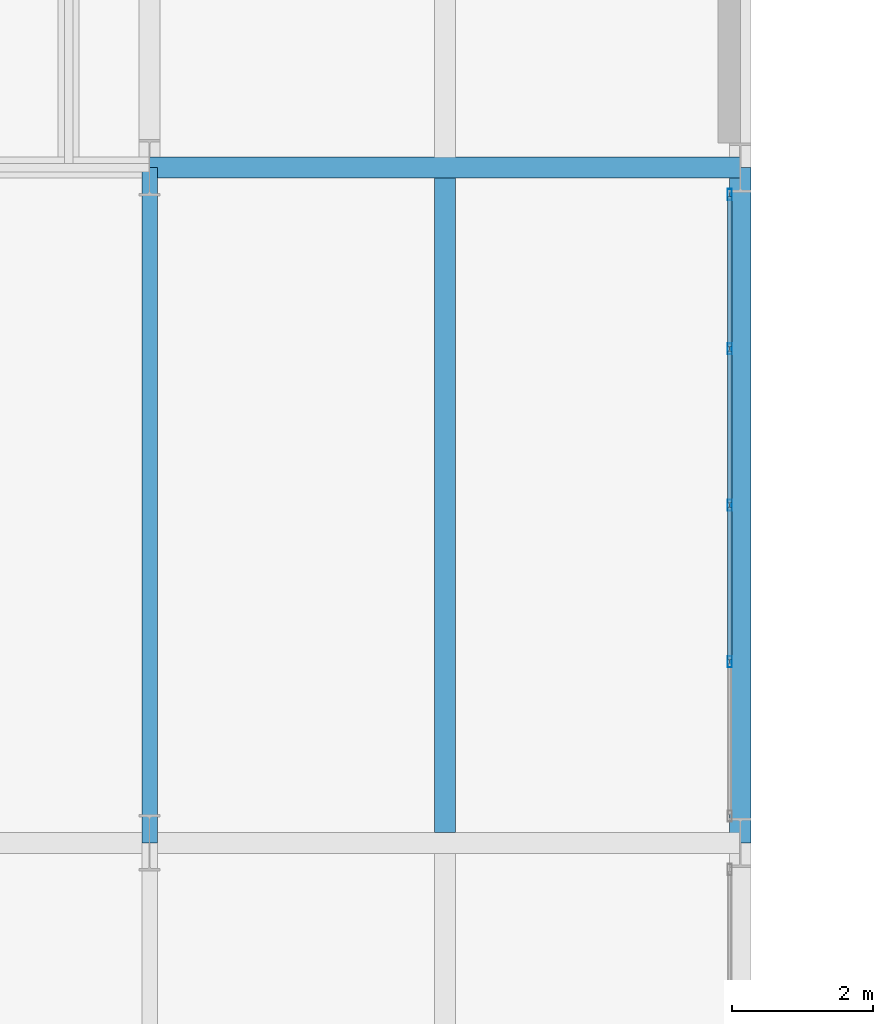
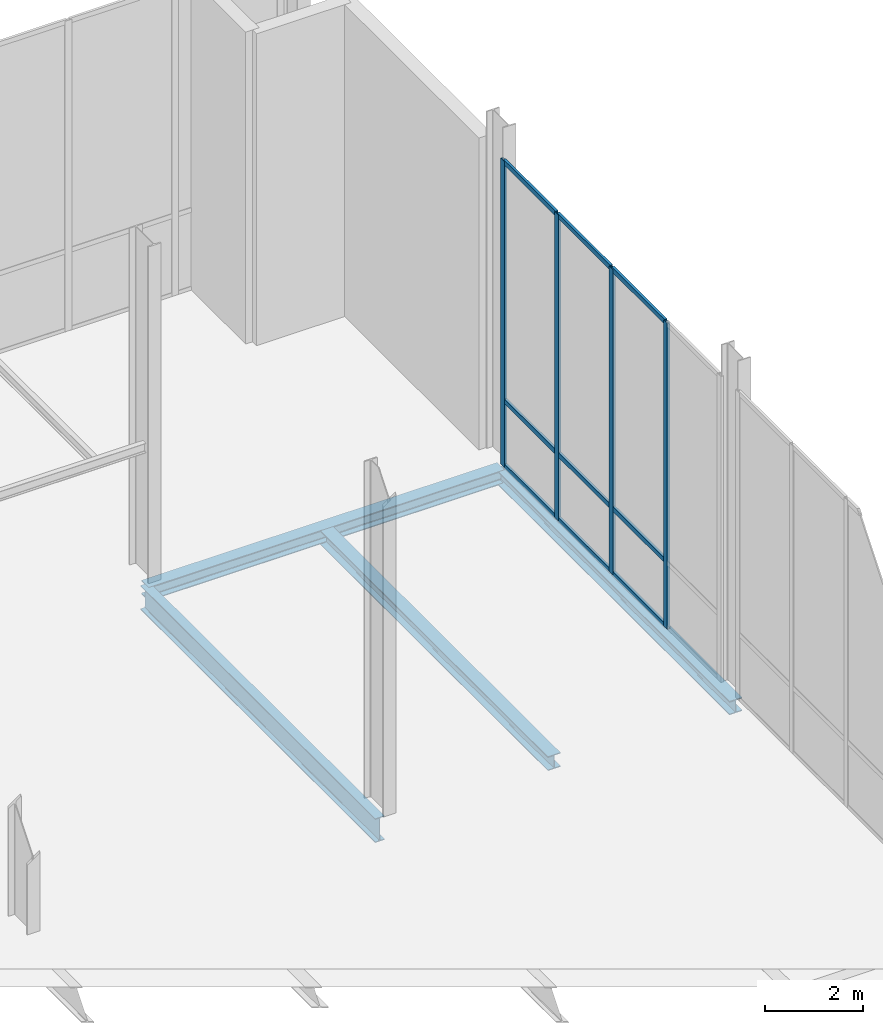
# One storey, part 79 of 131: 13 members, 4 beams, 1 element without a shape of its own.
"""IFC4 building model written with IfcOpenShell, lengths in metres."""

from ifc_helpers import new_model, si_unit, direction, frame, origin, origin_2d, place, context, subcontext, project, spatial, hollow_rectangle, i_section, extrude, material, material_profile, profile_set, type_object, element, aggregate, save


model = new_model("IFC4")

# Units and contexts
model_context = context("Model", 3, precision=1e-05, world=origin(), true_north=direction((0.0, 1.0)))
body_context = subcontext(model_context, "Body", "Model", "MODEL_VIEW")
ifc_project = project(units=[si_unit("LENGTHUNIT", "METRE"), si_unit("AREAUNIT", "SQUARE_METRE"), si_unit("VOLUMEUNIT", "CUBIC_METRE"), si_unit("PLANEANGLEUNIT", "RADIAN"), si_unit("MASSUNIT", "GRAM", prefix="KILO")], contexts=[model_context])

# Site, building, storey
site_placement = place(None, origin())
site = spatial("IfcSite", under=ifc_project, at=site_placement, CompositionType="ELEMENT")
building_placement = place(site_placement, origin())
building = spatial("IfcBuilding", under=site, at=building_placement, Name="Veltarok Museum of Natural Sciences", CompositionType="ELEMENT")
storey_placement = place(building_placement, origin())
storey = spatial("IfcBuildingStorey", under=building, at=storey_placement, Name="L00", CompositionType="ELEMENT", Elevation=0.0)

# Curtain wall, members
ifc_material_1 = material(Name="Low-iron triple insulated glass", Category="glass")
curtain_wall_type = type_object("IfcCurtainWallType", Name="Curtain Wall System CW-V2NPE-L00-3-890x763 (CW-V2NPE L00 890x763cm)", PredefinedType="NOTDEFINED", material=ifc_material_1)
curtain_wall_placement = place(storey_placement, origin())
curtain_wall = element("IfcCurtainWall", 1, at=curtain_wall_placement, inside=storey, type_object=curtain_wall_type, Name="Curtain Wall CW-V2NPE-L00-3-890x763 CW-0219", PredefinedType="NOTDEFINED")
ifc_material_2 = material(Name="Thermally broken anodised aluminium", Category="aluminium")
ifc_material_profile_1 = material_profile(ifc_material_2, hollow_rectangle(XDim=0.06005859375, YDim=0.1201171875, WallThickness=0.0048828125, at=origin_2d()), Name="CW TRANSOM 60x120x5")
ifc_profile_set_1 = profile_set([ifc_material_profile_1], Name="Thermally broken anodised aluminium")
member_type_1 = type_object("IfcMemberType", Name="Curtain Wall Horizontal Transom 60x120x5", PredefinedType="USERDEFINED", material=ifc_profile_set_1)
member_1_placement = place(storey_placement, frame((81.85009765625, 93.804931640625, 0.028076171875), z_axis=(0.0, 1.0, 0.0), x_axis=(-1.0, 0.0, 0.0)))
member_1 = element("IfcMember", 2, at=member_1_placement, type_object=member_type_1, Name="CW-V2NPE-L00-3-890x763 transom 2.1", ObjectType="TRANSOM", PredefinedType="USERDEFINED", context=body_context, shape_type="SweptSolid", body=[
    extrude(hollow_rectangle(XDim=0.06005859375, YDim=0.1201171875, WallThickness=0.0048828125, at=origin_2d()), origin(), (0.0, 0.0, 1.0), 2.1650390625),
])
member_2_placement = place(storey_placement, frame((81.85009765625, 93.804931640625, 1.64794921875), z_axis=(0.0, 1.0, 0.0), x_axis=(-1.0, 0.0, 0.0)))
member_2 = element("IfcMember", 3, at=member_2_placement, type_object=member_type_1, Name="CW-V2NPE-L00-3-890x763 transom 2.2", ObjectType="TRANSOM", PredefinedType="USERDEFINED", context=body_context, shape_type="SweptSolid", body=[
    extrude(hollow_rectangle(XDim=0.06005859375, YDim=0.1201171875, WallThickness=0.0048828125, at=origin_2d()), origin(), (0.0, 0.0, 1.0), 2.1650390625),
])
member_3_placement = place(storey_placement, frame((81.85009765625, 93.804931640625, 7.60009765625), z_axis=(0.0, 1.0, 0.0), x_axis=(-1.0, 0.0, 0.0)))
member_3 = element("IfcMember", 4, at=member_3_placement, type_object=member_type_1, Name="CW-V2NPE-L00-3-890x763 transom 2.3", ObjectType="TRANSOM", PredefinedType="USERDEFINED", context=body_context, shape_type="SweptSolid", body=[
    extrude(hollow_rectangle(XDim=0.06005859375, YDim=0.1201171875, WallThickness=0.0048828125, at=origin_2d()), origin(), (0.0, 0.0, 1.0), 2.1650390625),
])
member_4_placement = place(storey_placement, frame((81.85009765625, 96.030029296875, 0.028076171875), z_axis=(0.0, 1.0, 0.0), x_axis=(-1.0, 0.0, 0.0)))
member_4 = element("IfcMember", 5, at=member_4_placement, type_object=member_type_1, Name="CW-V2NPE-L00-3-890x763 transom 3.1", ObjectType="TRANSOM", PredefinedType="USERDEFINED", context=body_context, shape_type="SweptSolid", body=[
    extrude(hollow_rectangle(XDim=0.06005859375, YDim=0.1201171875, WallThickness=0.0048828125, at=origin_2d()), origin(), (0.0, 0.0, 1.0), 2.1650390625),
])
member_5_placement = place(storey_placement, frame((81.85009765625, 96.030029296875, 1.64794921875), z_axis=(0.0, 1.0, 0.0), x_axis=(-1.0, 0.0, 0.0)))
member_5 = element("IfcMember", 6, at=member_5_placement, type_object=member_type_1, Name="CW-V2NPE-L00-3-890x763 transom 3.2", ObjectType="TRANSOM", PredefinedType="USERDEFINED", context=body_context, shape_type="SweptSolid", body=[
    extrude(hollow_rectangle(XDim=0.06005859375, YDim=0.1201171875, WallThickness=0.0048828125, at=origin_2d()), origin(), (0.0, 0.0, 1.0), 2.1650390625),
])
member_6_placement = place(storey_placement, frame((81.85009765625, 96.030029296875, 7.60009765625), z_axis=(0.0, 1.0, 0.0), x_axis=(-1.0, 0.0, 0.0)))
member_6 = element("IfcMember", 7, at=member_6_placement, type_object=member_type_1, Name="CW-V2NPE-L00-3-890x763 transom 3.3", ObjectType="TRANSOM", PredefinedType="USERDEFINED", context=body_context, shape_type="SweptSolid", body=[
    extrude(hollow_rectangle(XDim=0.06005859375, YDim=0.1201171875, WallThickness=0.0048828125, at=origin_2d()), origin(), (0.0, 0.0, 1.0), 2.1650390625),
])
member_7_placement = place(storey_placement, frame((81.85009765625, 98.2548828125, 0.028076171875), z_axis=(0.0, 1.0, 0.0), x_axis=(-1.0, 0.0, 0.0)))
member_7 = element("IfcMember", 8, at=member_7_placement, type_object=member_type_1, Name="CW-V2NPE-L00-3-890x763 transom 4.1", ObjectType="TRANSOM", PredefinedType="USERDEFINED", context=body_context, shape_type="SweptSolid", body=[
    extrude(hollow_rectangle(XDim=0.06005859375, YDim=0.1201171875, WallThickness=0.0048828125, at=origin_2d()), origin(), (0.0, 0.0, 1.0), 2.135009765625),
])
member_8_placement = place(storey_placement, frame((81.85009765625, 98.2548828125, 1.64794921875), z_axis=(0.0, 1.0, 0.0), x_axis=(-1.0, 0.0, 0.0)))
member_8 = element("IfcMember", 9, at=member_8_placement, type_object=member_type_1, Name="CW-V2NPE-L00-3-890x763 transom 4.2", ObjectType="TRANSOM", PredefinedType="USERDEFINED", context=body_context, shape_type="SweptSolid", body=[
    extrude(hollow_rectangle(XDim=0.06005859375, YDim=0.1201171875, WallThickness=0.0048828125, at=origin_2d()), origin(), (0.0, 0.0, 1.0), 2.135009765625),
])
member_9_placement = place(storey_placement, frame((81.85009765625, 98.2548828125, 7.60009765625), z_axis=(0.0, 1.0, 0.0), x_axis=(-1.0, 0.0, 0.0)))
member_9 = element("IfcMember", 10, at=member_9_placement, type_object=member_type_1, Name="CW-V2NPE-L00-3-890x763 transom 4.3", ObjectType="TRANSOM", PredefinedType="USERDEFINED", context=body_context, shape_type="SweptSolid", body=[
    extrude(hollow_rectangle(XDim=0.06005859375, YDim=0.1201171875, WallThickness=0.0048828125, at=origin_2d()), origin(), (0.0, 0.0, 1.0), 2.135009765625),
])
ifc_material_profile_2 = material_profile(ifc_material_2, hollow_rectangle(XDim=0.06005859375, YDim=0.159912109375, WallThickness=0.0048828125, at=origin_2d()), Name="CW MULLION 60x160x5")
ifc_profile_set_2 = profile_set([ifc_material_profile_2], Name="Thermally broken anodised aluminium")
member_type_2 = type_object("IfcMemberType", Name="Curtain Wall Vertical Mullion 60x160x5", PredefinedType="MULLION", material=ifc_profile_set_2)
member_10_placement = place(storey_placement, frame((81.85009765625, 93.77490234375, -0.001953125), z_axis=(0.0, 0.0, 1.0), x_axis=(-1.0, 0.0, 0.0)))
member_10 = element("IfcMember", 11, at=member_10_placement, type_object=member_type_2, Name="CW-V2NPE-L00-3-890x763 mullion 2", PredefinedType="MULLION", context=body_context, shape_type="SweptSolid", body=[
    extrude(hollow_rectangle(XDim=0.06005859375, YDim=0.159912109375, WallThickness=0.0048828125, at=origin_2d()), origin(), (0.0, 0.0, 1.0), 7.6318359375),
])
member_11_placement = place(storey_placement, frame((81.85009765625, 96.0, -0.001953125), z_axis=(0.0, 0.0, 1.0), x_axis=(-1.0, 0.0, 0.0)))
member_11 = element("IfcMember", 12, at=member_11_placement, type_object=member_type_2, Name="CW-V2NPE-L00-3-890x763 mullion 3", PredefinedType="MULLION", context=body_context, shape_type="SweptSolid", body=[
    extrude(hollow_rectangle(XDim=0.06005859375, YDim=0.159912109375, WallThickness=0.0048828125, at=origin_2d()), origin(), (0.0, 0.0, 1.0), 7.6318359375),
])
member_12_placement = place(storey_placement, frame((81.85009765625, 98.22509765625, -0.001953125), z_axis=(0.0, 0.0, 1.0), x_axis=(-1.0, 0.0, 0.0)))
member_12 = element("IfcMember", 13, at=member_12_placement, type_object=member_type_2, Name="CW-V2NPE-L00-3-890x763 mullion 4", PredefinedType="MULLION", context=body_context, shape_type="SweptSolid", body=[
    extrude(hollow_rectangle(XDim=0.06005859375, YDim=0.159912109375, WallThickness=0.0048828125, at=origin_2d()), origin(), (0.0, 0.0, 1.0), 7.6318359375),
])
member_13_placement = place(storey_placement, frame((81.85009765625, 100.419921875, -0.001953125), z_axis=(0.0, 0.0, 1.0), x_axis=(-1.0, 0.0, 0.0)))
member_13 = element("IfcMember", 14, at=member_13_placement, type_object=member_type_2, Name="CW-V2NPE-L00-3-890x763 mullion 5", PredefinedType="MULLION", context=body_context, shape_type="SweptSolid", body=[
    extrude(hollow_rectangle(XDim=0.06005859375, YDim=0.159912109375, WallThickness=0.0048828125, at=origin_2d()), origin(), (0.0, 0.0, 1.0), 7.6318359375),
])
aggregate(curtain_wall, [member_10, member_11, member_12, member_13, member_1, member_2, member_3, member_4, member_5, member_6, member_7, member_8, member_9])

# Beams
ifc_material_3 = material(Name="Steel S355J2", Category="steel")
ifc_material_profile_3 = material_profile(ifc_material_3, i_section(OverallWidth=0.300048828125, OverallDepth=0.35009765625, WebThickness=0.010009765625, FlangeThickness=0.017578125, FilletRadius=0.027099609375, at=origin_2d()), Name="HEA 360")
ifc_profile_set_3 = profile_set([ifc_material_profile_3], Name="Steel S355J2")
beam_type_1 = type_object("IfcBeamType", Name="Long-Span Gallery Joist HEA 360", PredefinedType="JOIST", material=ifc_profile_set_3)
beam_1_placement = place(storey_placement, frame((77.800048828125, 91.347900390625, -0.47509765625), z_axis=(0.0, 1.0, 0.0), x_axis=(-1.0, 0.0, 0.0)))
element("IfcBeam", 15, at=beam_1_placement, inside=storey, type_object=beam_type_1, Name="Secondary Joist BM-J07 L00 9-10/K-L.1", PredefinedType="JOIST", context=body_context, shape_type="SweptSolid", body=[
    extrude(i_section(OverallWidth=0.300048828125, OverallDepth=0.35009765625, WebThickness=0.010009765625, FlangeThickness=0.017578125, FilletRadius=0.027099609375, at=origin_2d()), origin(), (0.0, 0.0, 1.0), 9.30419921875),
])
ifc_material_profile_4 = material_profile(ifc_material_3, i_section(OverallWidth=0.300048828125, OverallDepth=0.340087890625, WebThickness=0.011962890625, FlangeThickness=0.021484375, FilletRadius=0.027099609375, at=origin_2d()), Name="HEB 340")
ifc_profile_set_4 = profile_set([ifc_material_profile_4], Name="Steel S355J2")
beam_type_2 = type_object("IfcBeamType", Name="Perimeter Bridge Spandrel HEB 340", PredefinedType="SPANDREL", material=ifc_profile_set_4)
beam_2_placement = place(storey_placement, frame((73.60009765625, 100.800048828125, -0.469970703125), z_axis=(1.0, 0.0, 0.0), x_axis=(0.0, 1.0, 0.0)))
element("IfcBeam", 16, at=beam_2_placement, inside=storey, type_object=beam_type_2, Name="Beam BM-SP07 L00 9-10/L", PredefinedType="SPANDREL", context=body_context, shape_type="SweptSolid", body=[
    extrude(i_section(OverallWidth=0.300048828125, OverallDepth=0.340087890625, WebThickness=0.011962890625, FlangeThickness=0.021484375, FilletRadius=0.027099609375, at=origin_2d()), origin(), (0.0, 0.0, 1.0), 8.39990234375),
])
beam_3_placement = place(storey_placement, frame((82.0, 91.199951171875, -0.469970703125), z_axis=(0.0, 1.0, 0.0), x_axis=(-1.0, 0.0, 0.0)))
element("IfcBeam", 17, at=beam_3_placement, inside=storey, type_object=beam_type_2, Name="Beam BM-SP07 L00 10/K-L", PredefinedType="SPANDREL", context=body_context, shape_type="SweptSolid", body=[
    extrude(i_section(OverallWidth=0.300048828125, OverallDepth=0.340087890625, WebThickness=0.011962890625, FlangeThickness=0.021484375, FilletRadius=0.027099609375, at=origin_2d()), origin(), (0.0, 0.0, 1.0), 9.60009765625),
])
ifc_material_profile_5 = material_profile(ifc_material_3, i_section(OverallWidth=0.219970703125, OverallDepth=0.60009765625, WebThickness=0.011962890625, FlangeThickness=0.01904296875, FilletRadius=0.02392578125, at=origin_2d()), Name="IPE 600")
ifc_profile_set_5 = profile_set([ifc_material_profile_5], Name="Steel S355J2")
beam_type_3 = type_object("IfcBeamType", Name="Primary Museum Girder IPE 600", PredefinedType="BEAM", material=ifc_profile_set_5)
beam_4_placement = place(storey_placement, frame((73.60009765625, 91.199951171875, -0.60009765625), z_axis=(0.0, 1.0, 0.0), x_axis=(-1.0, 0.0, 0.0)))
element("IfcBeam", 18, at=beam_4_placement, inside=storey, type_object=beam_type_3, Name="Beam BM-G02 L00 9/K-L", PredefinedType="BEAM", context=body_context, shape_type="SweptSolid", body=[
    extrude(i_section(OverallWidth=0.219970703125, OverallDepth=0.60009765625, WebThickness=0.011962890625, FlangeThickness=0.01904296875, FilletRadius=0.02392578125, at=origin_2d()), origin(), (0.0, 0.0, 1.0), 9.60009765625),
])

save(model, "model.ifc")
